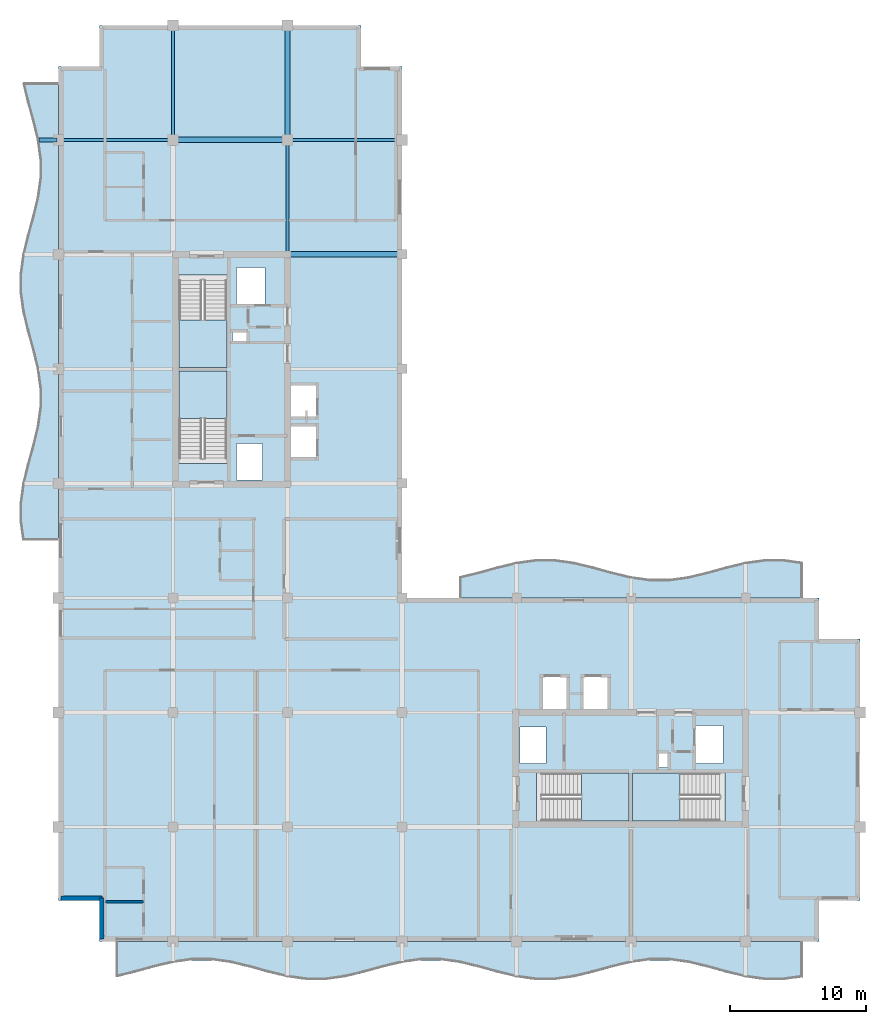
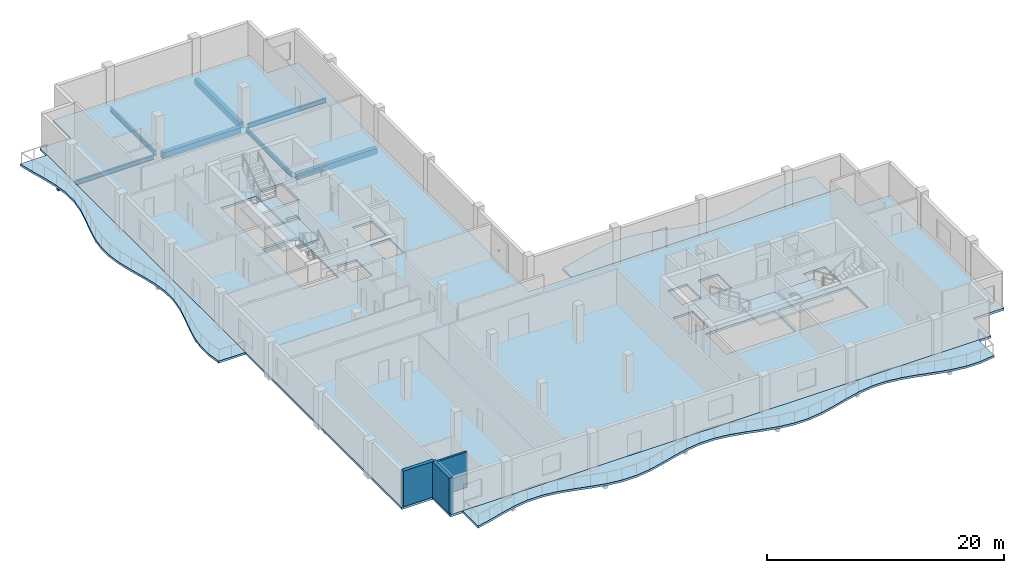
# One storey, part 2 of 11: 8 beams, 8 slabs, 3 walls, 4 elements without a shape of their own.
"""IFC4 building model written with IfcOpenShell, lengths in metres."""

from ifc_helpers import new_model, si_unit, direction, frame, frame_2d, origin, origin_2d, place, context, subcontext, project, spatial, polyline, rectangle, i_section, outline, extrude, material, layer, layer_set, material_profile, profile_set, type_object, element, aggregate, save


model = new_model("IFC4")

# Units and contexts
model_context = context("Model", 3, precision=1e-05, world=origin(), true_north=direction((0.0, 1.0)))
body_context = subcontext(model_context, "Body", "Model", "MODEL_VIEW")
ifc_project = project(units=[si_unit("LENGTHUNIT", "METRE"), si_unit("AREAUNIT", "SQUARE_METRE"), si_unit("VOLUMEUNIT", "CUBIC_METRE"), si_unit("PLANEANGLEUNIT", "RADIAN"), si_unit("MASSUNIT", "GRAM", prefix="KILO")], contexts=[model_context])

# Site, building, storey
site_placement = place(None, origin())
site = spatial("IfcSite", under=ifc_project, at=site_placement, CompositionType="ELEMENT")
building_placement = place(site_placement, origin())
building = spatial("IfcBuilding", under=site, at=building_placement, Name="Koriwani Terraces Tower", CompositionType="ELEMENT")
storey_placement = place(building_placement, frame((0.0, 0.0, 343.699951171875)))
storey = spatial("IfcBuildingStorey", under=building, at=storey_placement, Name="L85", CompositionType="ELEMENT", Elevation=343.699951171875)

# Beams
ifc_material_1 = material(Name="Concrete C40/50", Category="concrete")
ifc_material_profile_1 = material_profile(ifc_material_1, rectangle(XDim=0.300048828125, YDim=0.39990234375, at=origin_2d()), Name="Concrete C40/50", Category="LoadBearing")
ifc_profile_set_1 = profile_set([ifc_material_profile_1], Name="Concrete C40/50")
beam_type_1 = type_object("IfcBeamType", Name="BEAM_RC_BALCONY_RIB_300X400", PredefinedType="JOIST", material=ifc_profile_set_1)
beam_1_placement = place(storey_placement, frame((6.980224609375, 67.199951171875, -0.429931640625), z_axis=(1.0, 0.0, 0.0), x_axis=(0.0, 1.0, 0.0)))
element("IfcBeam", 1, at=beam_1_placement, inside=storey, type_object=beam_type_1, Name="L85 Balcony Bracket Rib W-4", PredefinedType="JOIST", context=body_context, shape_type="SweptSolid", body=[
    extrude(rectangle(XDim=0.300048828125, YDim=0.39990234375, at=origin_2d()), origin(), (0.0, 0.0, 1.0), 1.31982421875),
])
ifc_material_profile_2 = material_profile(ifc_material_1, rectangle(XDim=0.39990234375, YDim=0.60009765625, at=origin_2d()), Name="Concrete C40/50", Category="LoadBearing")
ifc_profile_set_2 = profile_set([ifc_material_profile_2], Name="Concrete C40/50")
beam_type_2 = type_object("IfcBeamType", Name="BEAM_RC_GRID_400X600", PredefinedType="BEAM", material=ifc_profile_set_2)
beam_2_placement = place(storey_placement, frame((25.429931640625, 58.800048828125, -0.530029296875), z_axis=(1.0, 0.0, 0.0), x_axis=(0.0, 1.0, 0.0)))
element("IfcBeam", 2, at=beam_2_placement, inside=storey, type_object=beam_type_2, Name="L85 Grid Beam H (25.2-33.6m)", PredefinedType="BEAM", context=body_context, shape_type="SweptSolid", body=[
    extrude(rectangle(XDim=0.39990234375, YDim=0.60009765625, at=origin_2d()), origin(), (0.0, 0.0, 1.0), 7.840087890625),
])
beam_3_placement = place(storey_placement, frame((17.179931640625, 67.199951171875, -0.530029296875), z_axis=(1.0, 0.0, 0.0), x_axis=(0.0, 1.0, 0.0)))
element("IfcBeam", 3, at=beam_3_placement, inside=storey, type_object=beam_type_2, Name="L85 Grid Beam I (16.8-25.2m)", PredefinedType="BEAM", context=body_context, shape_type="SweptSolid", body=[
    extrude(rectangle(XDim=0.39990234375, YDim=0.60009765625, at=origin_2d()), origin(), (0.0, 0.0, 1.0), 7.64013671875),
])
beam_4_placement = place(storey_placement, frame((25.199951171875, 67.580078125, -0.530029296875), z_axis=(0.0, 1.0, 0.0), x_axis=(-1.0, 0.0, 0.0)))
element("IfcBeam", 4, at=beam_4_placement, inside=storey, type_object=beam_type_2, Name="L85 Grid Beam 4 (67.2-75.6m)", PredefinedType="BEAM", context=body_context, shape_type="SweptSolid", body=[
    extrude(rectangle(XDim=0.39990234375, YDim=0.60009765625, at=origin_2d()), origin(), (0.0, 0.0, 1.0), 7.639892578125),
])
ifc_material_2 = material(Name="Steel ASTM A572 Grade 50", Category="steel")
ifc_material_profile_3 = material_profile(ifc_material_2, i_section(OverallWidth=0.19189453125, OverallDepth=0.462890625, WebThickness=0.010498046875, FlangeThickness=0.01611328125, at=origin_2d()), Name="Steel ASTM A572 Grade 50", Category="LoadBearing")
ifc_profile_set_3 = profile_set([ifc_material_profile_3], Name="Steel ASTM A572 Grade 50")
beam_type_3 = type_object("IfcBeamType", Name="STEEL_BEAM_W460X89", PredefinedType="BEAM", material=ifc_profile_set_3)
for number, where, z_axis, x_axis, name in (
    (5, (8.780029296875, 67.199951171875, -0.46142578125), (1.0, 0.0, 0.0), (0.0, 1.0, 0.0), "L85 Grid Beam I (8.4-16.8m)"),
    (6, (25.580078125, 67.199951171875, -0.46142578125), (1.0, 0.0, 0.0), (0.0, 1.0, 0.0), "L85 Grid Beam I (25.2-33.6m)"),
    (7, (16.800048828125, 67.580078125, -0.46142578125), (0.0, 1.0, 0.0), (-1.0, 0.0, 0.0), "L85 Grid Beam 3 (67.2-75.6m)"),
):
    element("IfcBeam", number, at=place(storey_placement, frame(where, z_axis=z_axis, x_axis=x_axis)), inside=storey, type_object=beam_type_3, Name=name, PredefinedType="BEAM", context=body_context, shape_type="SweptSolid", body=[
        extrude(i_section(OverallWidth=0.19189453125, OverallDepth=0.462890625, WebThickness=0.010498046875, FlangeThickness=0.01611328125, at=origin_2d()), origin(), (0.0, 0.0, 1.0), 7.639892578125),
    ])
beam_5_placement = place(storey_placement, frame((25.199951171875, 59.030029296875, -0.46142578125), z_axis=(0.0, 1.0, 0.0), x_axis=(-1.0, 0.0, 0.0)))
element("IfcBeam", 8, at=beam_5_placement, inside=storey, type_object=beam_type_3, Name="L85 Grid Beam 4 (58.8-67.2m)", PredefinedType="BEAM", context=body_context, shape_type="SweptSolid", body=[
    extrude(i_section(OverallWidth=0.19189453125, OverallDepth=0.462890625, WebThickness=0.010498046875, FlangeThickness=0.01611328125, at=origin_2d()), origin(), (0.0, 0.0, 1.0), 7.7900390625),
])

# Slabs
ifc_layer_1 = layer(ifc_material_1, 0.219970703125, Name="Concrete C40/50")
ifc_layer_set_1 = layer_set([ifc_layer_1], Name="Concrete C40/50")
slab_type_1 = type_object("IfcSlabType", Name="SLAB_BALCONY_220", PredefinedType="FLOOR", material=ifc_layer_set_1)
slab_1_placement = place(storey_placement, frame((0.0, 0.0, -0.219970703125)))
element("IfcSlab", 9, at=slab_1_placement, inside=storey, type_object=slab_type_1, Name="L85 Quilted Circular-Arc Balcony (S)", PredefinedType="FLOOR", context=body_context, shape_type="SweptSolid", body=[
    extrude(outline(polyline([(12.60009765625, 8.39990234375), (14.0, 8.39990234375), (15.39990234375, 8.39990234375), (16.800048828125, 8.39990234375), (18.199951171875, 8.39990234375), (19.60009765625, 8.39990234375), (21.0, 8.39990234375), (22.39990234375, 8.39990234375), (23.800048828125, 8.39990234375), (25.199951171875, 8.39990234375), (26.60009765625, 8.39990234375), (28.0, 8.39990234375), (29.39990234375, 8.39990234375), (30.800048828125, 8.39990234375), (32.199951171875, 8.39990234375), (33.60009765625, 8.39990234375), (35.0, 8.39990234375), (36.39990234375, 8.39990234375), (37.800048828125, 8.39990234375), (39.199951171875, 8.39990234375), (40.60009765625, 8.39990234375), (42.0, 8.39990234375), (43.39990234375, 8.39990234375), (44.800048828125, 8.39990234375), (46.199951171875, 8.39990234375), (47.60009765625, 8.39990234375), (49.0, 8.39990234375), (50.39990234375, 8.39990234375), (51.800048828125, 8.39990234375), (53.199951171875, 8.39990234375), (54.60009765625, 8.39990234375), (56.0, 8.39990234375), (57.39990234375, 8.39990234375), (58.800048828125, 8.39990234375), (60.199951171875, 8.39990234375), (61.60009765625, 8.39990234375), (63.0, 8.39990234375), (63.0, 5.769775390625), (61.60009765625, 5.57568359375), (60.199951171875, 5.57568359375), (58.800048828125, 5.769775390625), (57.39990234375, 6.10595703125), (56.0, 6.494140625), (54.60009765625, 6.830322265625), (53.199951171875, 7.0244140625), (51.800048828125, 7.0244140625), (50.39990234375, 6.830322265625), (49.0, 6.494140625), (47.60009765625, 6.10595703125), (46.199951171875, 5.769775390625), (44.800048828125, 5.57568359375), (43.39990234375, 5.57568359375), (42.0, 5.769775390625), (40.60009765625, 6.10595703125), (39.199951171875, 6.494140625), (37.800048828125, 6.830322265625), (36.39990234375, 7.0244140625), (35.0, 7.0244140625), (33.60009765625, 6.830322265625), (32.199951171875, 6.494140625), (30.800048828125, 6.10595703125), (29.39990234375, 5.769775390625), (28.0, 5.57568359375), (26.60009765625, 5.57568359375), (25.199951171875, 5.769775390625), (23.800048828125, 6.10595703125), (22.39990234375, 6.494140625), (21.0, 6.830322265625), (19.60009765625, 7.0244140625), (18.199951171875, 7.0244140625), (16.800048828125, 6.830322265625), (15.39990234375, 6.494140625), (14.0, 6.10595703125), (12.60009765625, 5.769775390625), (12.60009765625, 8.39990234375)])), origin(), (0.0, 0.0, 1.0), 0.219970703125),
])
slab_2_placement = place(storey_placement, frame((0.0, 0.0, -0.219970703125)))
element("IfcSlab", 10, at=slab_2_placement, inside=storey, type_object=slab_type_1, Name="L85 Quilted Circular-Arc Balcony (W)", PredefinedType="FLOOR", context=body_context, shape_type="SweptSolid", body=[
    extrude(outline(polyline([(8.39990234375, 37.800048828125), (8.39990234375, 39.199951171875), (8.39990234375, 40.60009765625), (8.39990234375, 42.0), (8.39990234375, 43.39990234375), (8.39990234375, 44.800048828125), (8.39990234375, 46.199951171875), (8.39990234375, 47.60009765625), (8.39990234375, 49.0), (8.39990234375, 50.39990234375), (8.39990234375, 51.800048828125), (8.39990234375, 53.199951171875), (8.39990234375, 54.60009765625), (8.39990234375, 56.0), (8.39990234375, 57.39990234375), (8.39990234375, 58.800048828125), (8.39990234375, 60.199951171875), (8.39990234375, 61.60009765625), (8.39990234375, 63.0), (8.39990234375, 64.39990234375), (8.39990234375, 65.800048828125), (8.39990234375, 67.199951171875), (8.39990234375, 68.60009765625), (8.39990234375, 70.0), (8.39990234375, 71.39990234375), (5.769775390625, 71.39990234375), (6.10595703125, 70.0), (6.494140625, 68.60009765625), (6.830322265625, 67.199951171875), (7.0244140625, 65.800048828125), (7.0244140625, 64.39990234375), (6.830322265625, 63.0), (6.494140625, 61.60009765625), (6.10595703125, 60.199951171875), (5.769775390625, 58.800048828125), (5.57568359375, 57.39990234375), (5.57568359375, 56.0), (5.769775390625, 54.60009765625), (6.10595703125, 53.199951171875), (6.494140625, 51.800048828125), (6.830322265625, 50.39990234375), (7.0244140625, 49.0), (7.0244140625, 47.60009765625), (6.830322265625, 46.199951171875), (6.494140625, 44.800048828125), (6.10595703125, 43.39990234375), (5.769775390625, 42.0), (5.57568359375, 40.60009765625), (5.57568359375, 39.199951171875), (5.769775390625, 37.800048828125), (8.39990234375, 37.800048828125)])), origin(), (0.0, 0.0, 1.0), 0.219970703125),
])
slab_3_placement = place(storey_placement, frame((0.0, 0.0, -0.219970703125)))
element("IfcSlab", 11, at=slab_3_placement, inside=storey, type_object=slab_type_1, Name="L85 Quilted Circular-Arc Balcony (NE)", PredefinedType="FLOOR", context=body_context, shape_type="SweptSolid", body=[
    extrude(outline(polyline([(63.0, 33.60009765625), (61.60009765625, 33.60009765625), (60.199951171875, 33.60009765625), (58.800048828125, 33.60009765625), (57.39990234375, 33.60009765625), (56.0, 33.60009765625), (54.60009765625, 33.60009765625), (53.199951171875, 33.60009765625), (51.800048828125, 33.60009765625), (50.39990234375, 33.60009765625), (49.0, 33.60009765625), (47.60009765625, 33.60009765625), (46.199951171875, 33.60009765625), (44.800048828125, 33.60009765625), (43.39990234375, 33.60009765625), (42.0, 33.60009765625), (40.60009765625, 33.60009765625), (39.199951171875, 33.60009765625), (37.800048828125, 33.60009765625), (37.800048828125, 35.169677734375), (39.199951171875, 35.505859375), (40.60009765625, 35.89404296875), (42.0, 36.230224609375), (43.39990234375, 36.42431640625), (44.800048828125, 36.42431640625), (46.199951171875, 36.230224609375), (47.60009765625, 35.89404296875), (49.0, 35.505859375), (50.39990234375, 35.169677734375), (51.800048828125, 34.9755859375), (53.199951171875, 34.9755859375), (54.60009765625, 35.169677734375), (56.0, 35.505859375), (57.39990234375, 35.89404296875), (58.800048828125, 36.230224609375), (60.199951171875, 36.42431640625), (61.60009765625, 36.42431640625), (63.0, 36.230224609375), (63.0, 33.60009765625)])), origin(), (0.0, 0.0, 1.0), 0.219970703125),
])
ifc_layer_2 = layer(ifc_material_1, 0.22998046875, Name="Concrete C40/50")
ifc_layer_set_2 = layer_set([ifc_layer_2], Name="Concrete C40/50")
slab_type_2 = type_object("IfcSlabType", Name="SLAB_RES_TYP_230", PredefinedType="FLOOR", material=ifc_layer_set_2)
slab_4_placement = place(storey_placement, frame((0.0, 0.0, -0.22998046875)))
element("IfcSlab", 12, at=slab_4_placement, inside=storey, type_object=slab_type_2, Name="L85 Structural Floor Slab", PredefinedType="FLOOR", context=body_context, shape_type="SweptSolid", body=[
    extrude(outline(polyline([(11.39990234375, 8.39990234375), (64.199951171875, 8.39990234375), (64.199951171875, 11.39990234375), (67.199951171875, 11.39990234375), (67.199951171875, 30.60009765625), (64.199951171875, 30.60009765625), (64.199951171875, 33.60009765625), (33.60009765625, 33.60009765625), (33.60009765625, 72.60009765625), (30.60009765625, 72.60009765625), (30.60009765625, 75.60009765625), (11.39990234375, 75.60009765625), (11.39990234375, 72.60009765625), (8.39990234375, 72.60009765625), (8.39990234375, 11.39990234375), (11.39990234375, 11.39990234375), (11.39990234375, 8.39990234375)]), holes=[polyline([(17.25, 43.4599609375), (20.75, 43.4599609375), (20.75, 50.25), (17.25, 50.25), (17.25, 43.4599609375)]), polyline([(17.25, 50.5), (20.75, 50.5), (20.75, 57.2900390625), (17.25, 57.2900390625), (17.25, 50.5)]), polyline([(43.4599609375, 17.25), (50.25, 17.25), (50.25, 20.75), (43.4599609375, 20.75), (43.4599609375, 17.25)]), polyline([(50.5, 17.25), (57.2900390625, 17.25), (57.2900390625, 20.75), (50.5, 20.75), (50.5, 17.25)]), polyline([(25.449951171875, 43.85009765625), (27.35009765625, 43.85009765625), (27.35009765625, 46.25), (25.449951171875, 46.25), (25.449951171875, 43.85009765625)]), polyline([(25.449951171875, 46.85009765625), (27.35009765625, 46.85009765625), (27.35009765625, 49.25), (25.449951171875, 49.25), (25.449951171875, 46.85009765625)]), polyline([(43.85009765625, 25.449951171875), (45.75, 25.449951171875), (45.75, 27.85009765625), (43.85009765625, 27.85009765625), (43.85009765625, 25.449951171875)]), polyline([(46.85009765625, 25.449951171875), (48.75, 25.449951171875), (48.75, 27.85009765625), (46.85009765625, 27.85009765625), (46.85009765625, 25.449951171875)]), polyline([(21.449951171875, 55.050048828125), (23.550048828125, 55.050048828125), (23.550048828125, 57.85009765625), (21.449951171875, 57.85009765625), (21.449951171875, 55.050048828125)]), polyline([(55.050048828125, 21.449951171875), (57.14990234375, 21.449951171875), (57.14990234375, 24.25), (55.050048828125, 24.25), (55.050048828125, 21.449951171875)]), polyline([(21.449951171875, 42.25), (23.35009765625, 42.25), (23.35009765625, 44.949951171875), (21.449951171875, 44.949951171875), (21.449951171875, 42.25)]), polyline([(42.25, 21.449951171875), (44.14990234375, 21.449951171875), (44.14990234375, 24.14990234375), (42.25, 24.14990234375), (42.25, 21.449951171875)]), polyline([(21.14990234375, 52.419921875), (22.219970703125, 52.419921875), (22.219970703125, 53.179931640625), (21.14990234375, 53.179931640625), (21.14990234375, 52.419921875)]), polyline([(52.419921875, 21.14990234375), (53.179931640625, 21.14990234375), (53.179931640625, 22.219970703125), (52.419921875, 22.219970703125), (52.419921875, 21.14990234375)])]), origin(), (0.0, 0.0, 1.0), 0.22998046875),
])

# Stair, slab
stair_type = type_object("IfcStairType", Name="STAIR_CORE_DOGLEG_1650", PredefinedType="TWO_STRAIGHT_RUN_STAIR", material=ifc_material_1)
stair_1_placement = place(storey_placement, origin())
stair_1 = element("IfcStair", 13, at=stair_1_placement, inside=storey, type_object=stair_type, Name="L85 West Core Exit Stair 1", PredefinedType="HALF_TURN_STAIR")
ifc_layer_3 = layer(ifc_material_1, 0.199951171875, Name="Concrete C40/50")
ifc_layer_set_3 = layer_set([ifc_layer_3], Name="Concrete C40/50")
slab_type_3 = type_object("IfcSlabType", Name="SLAB_STAIR_LANDING_200", PredefinedType="LANDING", material=ifc_layer_set_3)
slab_5_placement = place(storey_placement, frame((0.0, 0.0, 1.75)))
slab_5 = element("IfcSlab", 14, at=slab_5_placement, type_object=slab_type_3, Name="ST-W1 landing 1", PredefinedType="LANDING", context=body_context, shape_type="SweptSolid", body=[
    extrude(outline(polyline([(20.75, 46.75), (20.75, 50.25), (17.25, 50.25), (17.25, 46.75), (20.75, 46.75)])), origin(), (0.0, 0.0, 1.0), 0.199951171875),
])
aggregate(stair_1, [slab_5])

stair_2_placement = place(storey_placement, origin())
stair_2 = element("IfcStair", 15, at=stair_2_placement, inside=storey, type_object=stair_type, Name="L85 West Core Exit Stair 2", PredefinedType="HALF_TURN_STAIR")
slab_6_placement = place(storey_placement, frame((0.0, 0.0, 1.75)))
slab_6 = element("IfcSlab", 16, at=slab_6_placement, type_object=slab_type_3, Name="ST-W2 landing 1", PredefinedType="LANDING", context=body_context, shape_type="SweptSolid", body=[
    extrude(outline(polyline([(17.25, 54.0), (17.25, 50.5), (20.75, 50.5), (20.75, 54.0), (17.25, 54.0)])), origin(), (0.0, 0.0, 1.0), 0.199951171875),
])
aggregate(stair_2, [slab_6])

stair_3_placement = place(storey_placement, origin())
stair_3 = element("IfcStair", 17, at=stair_3_placement, inside=storey, type_object=stair_type, Name="L85 East Core Exit Stair 1", PredefinedType="HALF_TURN_STAIR")
slab_7_placement = place(storey_placement, frame((0.0, 0.0, 1.75)))
slab_7 = element("IfcSlab", 18, at=slab_7_placement, type_object=slab_type_3, Name="ST-E1 landing 1", PredefinedType="LANDING", context=body_context, shape_type="SweptSolid", body=[
    extrude(outline(polyline([(46.75, 17.25), (50.25, 17.25), (50.25, 20.75), (46.75, 20.75), (46.75, 17.25)])), origin(), (0.0, 0.0, 1.0), 0.199951171875),
])
aggregate(stair_3, [slab_7])

stair_4_placement = place(storey_placement, origin())
stair_4 = element("IfcStair", 19, at=stair_4_placement, inside=storey, type_object=stair_type, Name="L85 East Core Exit Stair 2", PredefinedType="HALF_TURN_STAIR")
slab_8_placement = place(storey_placement, frame((0.0, 0.0, 1.75)))
slab_8 = element("IfcSlab", 20, at=slab_8_placement, type_object=slab_type_3, Name="ST-E2 landing 1", PredefinedType="LANDING", context=body_context, shape_type="SweptSolid", body=[
    extrude(outline(polyline([(54.0, 20.75), (50.5, 20.75), (50.5, 17.25), (54.0, 17.25), (54.0, 20.75)])), origin(), (0.0, 0.0, 1.0), 0.199951171875),
])
aggregate(stair_4, [slab_8])

# Walls
ifc_material_3 = material(Name="Concrete C50/60", Category="concrete")
ifc_layer_4 = layer(ifc_material_3, 0.35009765625, Name="Concrete C50/60")
ifc_layer_set_4 = layer_set([ifc_layer_4], Name="Concrete C50/60")
wall_type_1 = type_object("IfcWallType", Name="WALL_EXT_BRUTALIST_350", PredefinedType="STANDARD", material=ifc_layer_set_4)
for number, where, z_axis, x_axis, name in (
    (21, (11.574951171875, 8.574951171875, 0.0), (0.0, 0.0, 1.0), (0.0, 1.0, 0.0), "L85 Fair-Faced Brutalist Exterior Wall (N0)"),
    (22, (11.574951171875, 11.574951171875, 0.0), (0.0, 0.0, 1.0), (-1.0, 0.0, 0.0), "L85 Fair-Faced Brutalist Exterior Wall (N1)"),
):
    element("IfcWall", number, at=place(storey_placement, frame(where, z_axis=z_axis, x_axis=x_axis)), inside=storey, type_object=wall_type_1, Name=name, PredefinedType="STANDARD", context=body_context, shape_type="SweptSolid", body=[
        extrude(rectangle(XDim=3.0, YDim=0.35009765625, at=frame_2d((1.5, 0.0))), origin(), (0.0, 0.0, 1.0), 3.670166015625),
    ])
ifc_material_4 = material(Name="Fire-Rated Acoustic Gypsum Partition", Category="masonry")
ifc_layer_5 = layer(ifc_material_4, 0.179931640625, Name="Fire-Rated Acoustic Gypsum Partition")
ifc_layer_set_5 = layer_set([ifc_layer_5], Name="Fire-Rated Acoustic Gypsum Partition")
wall_type_2 = type_object("IfcWallType", Name="WALL_PLUMBING_180", PredefinedType="PLUMBINGWALL", material=ifc_layer_set_5)
wall_placement = place(storey_placement, frame((11.85009765625, 11.300048828125, 0.0), z_axis=(0.0, 0.0, 1.0), x_axis=(1.0, 0.0, 0.0)))
element("IfcWall", 23, at=wall_placement, inside=storey, type_object=wall_type_2, Name="L85 Interior Wall WGB-L85-SPINE-SVM", PredefinedType="PLUMBINGWALL", context=body_context, shape_type="SweptSolid", body=[
    extrude(rectangle(XDim=2.7998046875, YDim=0.179931640625, at=frame_2d((1.39990234375, 0.0))), origin(), (0.0, 0.0, 1.0), 3.670166015625),
])

save(model, "model.ifc")
